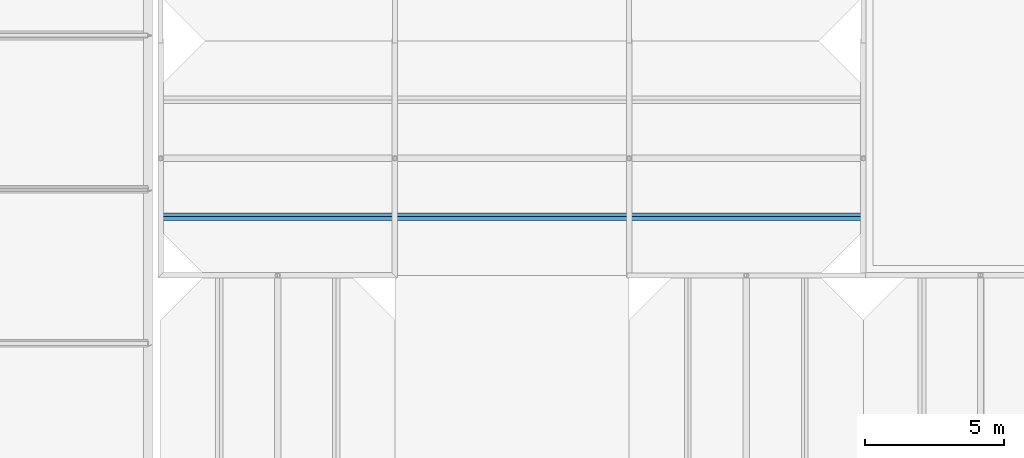
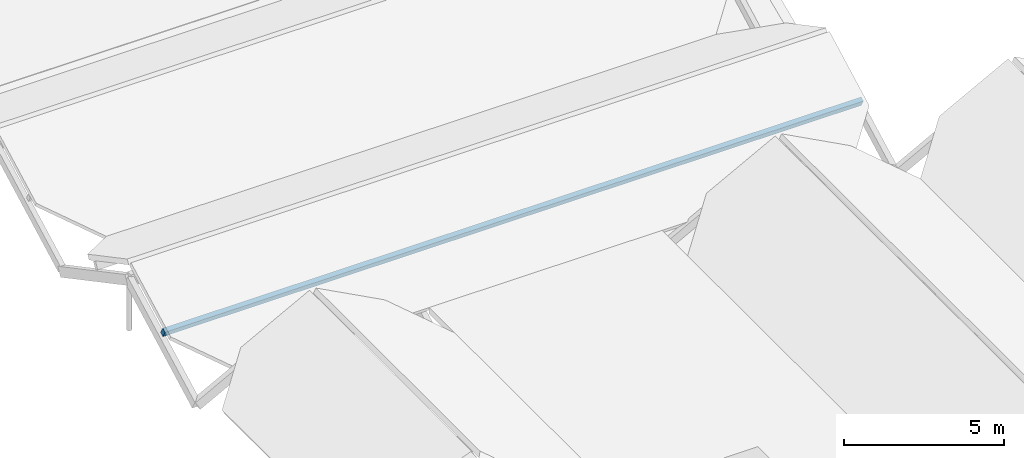
# One storey, part 24 of 82: 1 member.
"""IFC4 building model written with IfcOpenShell, lengths in metres."""

from ifc_helpers import new_model, si_unit, direction, frame, origin, origin_2d, place, context, subcontext, project, spatial, rectangle, extrude, material, material_profile, profile_set, type_object, element, save


model = new_model("IFC4")

# Units and contexts
model_context = context("Model", 3, precision=1e-05, world=origin(), true_north=direction((0.0, 1.0)))
body_context = subcontext(model_context, "Body", "Model", "MODEL_VIEW")
ifc_project = project(units=[si_unit("LENGTHUNIT", "METRE"), si_unit("AREAUNIT", "SQUARE_METRE"), si_unit("VOLUMEUNIT", "CUBIC_METRE"), si_unit("PLANEANGLEUNIT", "RADIAN"), si_unit("MASSUNIT", "GRAM", prefix="KILO")], contexts=[model_context])

# Site, building, storey
site_placement = place(None, origin())
site = spatial("IfcSite", under=ifc_project, at=site_placement, CompositionType="ELEMENT")
building_placement = place(site_placement, origin())
building = spatial("IfcBuilding", under=site, at=building_placement, Name="Bramfleet General Hospital", CompositionType="ELEMENT")
storey_placement = place(building_placement, frame((0.0, 0.0, 34.199951171875)))
storey = spatial("IfcBuildingStorey", under=building, at=storey_placement, Name="Roof", CompositionType="ELEMENT", Elevation=34.199951171875)

# Member
ifc_material = material(Name="Structural timber GL28h", Category="wood")
ifc_material_profile = material_profile(ifc_material, rectangle(XDim=0.159912109375, YDim=0.280029296875, at=origin_2d()), Name="GL28h 280x160")
ifc_profile_set = profile_set([ifc_material_profile], Name="Structural timber GL28h")
member_type = type_object("IfcMemberType", Name="MEM-PR-GL280", PredefinedType="PURLIN", material=ifc_profile_set)
member_placement = place(storey_placement, frame((92.39990234375, 27.300048828125, 0.71533203125), z_axis=(1.0, 0.0, 0.0), x_axis=(0.0, 0.882947592859, 0.469471562786)))
element("IfcMember", 1, at=member_placement, inside=storey, type_object=member_type, Name="Patient House PH-09 South Glulam Purlin", PredefinedType="PURLIN", context=body_context, shape_type="SweptSolid", body=[
    extrude(rectangle(XDim=0.159912109375, YDim=0.280029296875, at=origin_2d()), origin(), (0.0, 0.0, 1.0), 25.2001953125),
])

save(model, "model.ifc")
